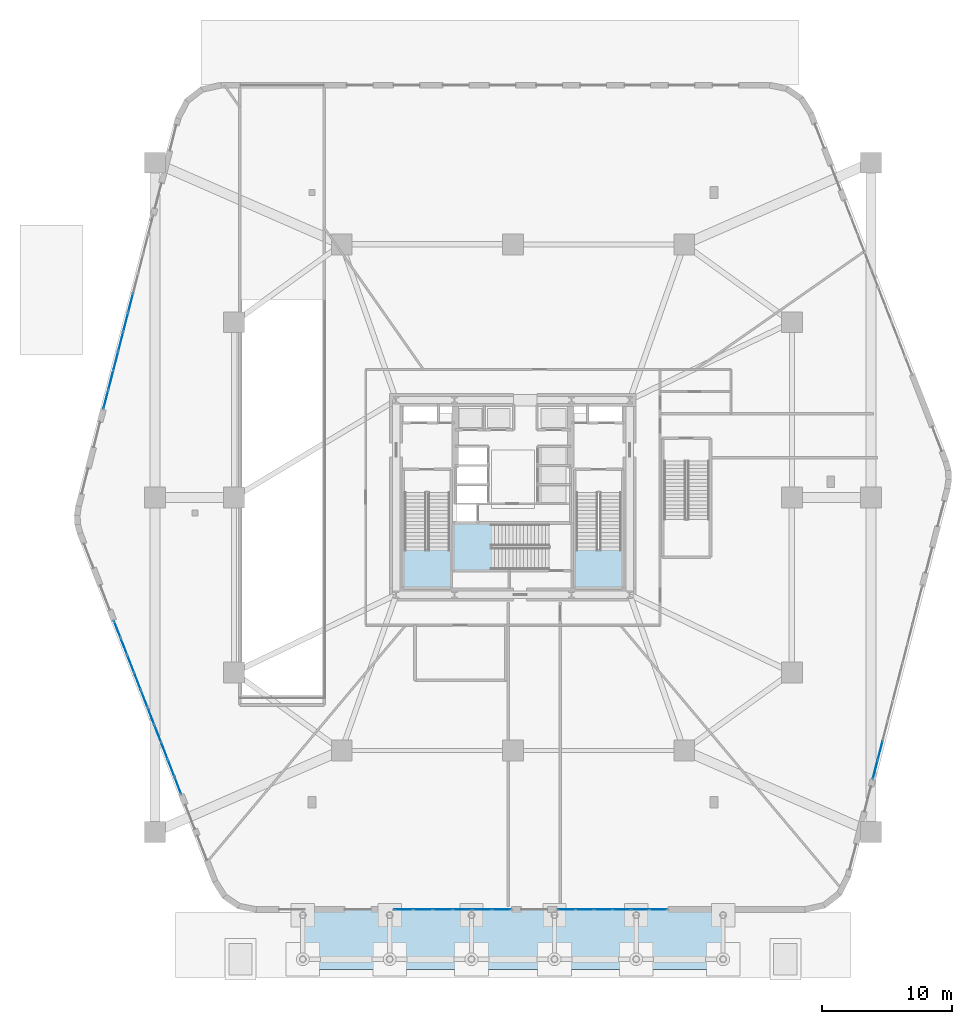
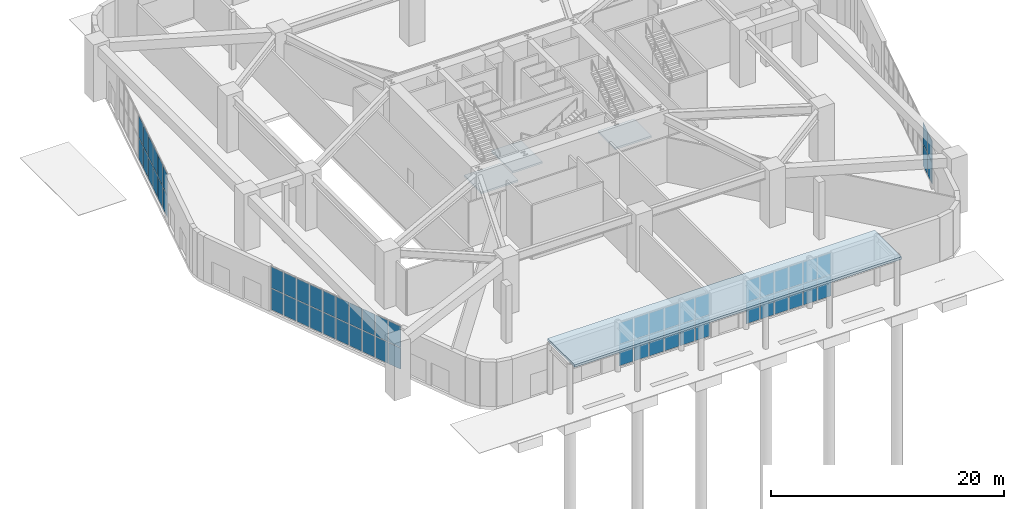
# One storey, part 22 of 35: 60 plates, 4 slabs, 8 elements without a shape of their own.
"""IFC4 building model written with IfcOpenShell, lengths in metres."""

from ifc_helpers import new_model, si_unit, direction, frame, origin, origin_2d, place, context, subcontext, project, spatial, polyline, rectangle, outline, extrude, material, layer, layer_set, type_object, element, aggregate, save


model = new_model("IFC4")

# Units and contexts
model_context = context("Model", 3, precision=1e-05, world=origin(), true_north=direction((0.0, 1.0)))
body_context = subcontext(model_context, "Body", "Model", "MODEL_VIEW")
ifc_project = project(units=[si_unit("LENGTHUNIT", "METRE"), si_unit("AREAUNIT", "SQUARE_METRE"), si_unit("VOLUMEUNIT", "CUBIC_METRE"), si_unit("PLANEANGLEUNIT", "RADIAN"), si_unit("MASSUNIT", "GRAM", prefix="KILO")], contexts=[model_context])

# Site, building, storey
site_placement = place(None, origin())
site = spatial("IfcSite", under=ifc_project, at=site_placement, CompositionType="ELEMENT")
building_placement = place(site_placement, origin())
building = spatial("IfcBuilding", under=site, at=building_placement, Name="Kilnhurst Terrace Hotel", CompositionType="ELEMENT")
storey_placement = place(building_placement, origin())
storey = spatial("IfcBuildingStorey", under=building, at=storey_placement, Name="L00", CompositionType="ELEMENT", Elevation=0.0)

# Curtain wall, plates
ifc_material_1 = material(Name="Anodized Aluminium Alloy 6063-T6 and Low-E Glass", Category="aluminium")
ifc_layer_1 = layer(ifc_material_1, 0.219970703125, Name="Anodized Aluminium Alloy 6063-T6 and Low-E Glass")
ifc_layer_set_1 = layer_set([ifc_layer_1], Name="Anodized Aluminium Alloy 6063-T6 and Low-E Glass")
curtain_wall_type = type_object("IfcCurtainWallType", Name="CW-POD-LOBBY", PredefinedType="NOTDEFINED", material=ifc_layer_set_1)
curtain_wall_1_placement = place(storey_placement, origin())
curtain_wall_1 = element("IfcCurtainWall", 1, at=curtain_wall_1_placement, inside=storey, type_object=curtain_wall_type, Name="L00 Curtain Wall CW-L00-F1-1", PredefinedType="NOTDEFINED")
ifc_material_2 = material(Name="Triple Laminated Low-E Hurricane Insulated Glass", Category="glass")
ifc_layer_2 = layer(ifc_material_2, 0.035888671875, Name="Triple Laminated Low-E Hurricane Insulated Glass")
ifc_layer_set_2 = layer_set([ifc_layer_2], Name="Triple Laminated Low-E Hurricane Insulated Glass")
plate_type = type_object("IfcPlateType", Name="PNL-GLZ-36", PredefinedType="CURTAIN_PANEL", material=ifc_layer_set_2)
plate_1_placement = place(storey_placement, frame((-8.4306640625, -31.77490234375, 0.074951171875), z_axis=(0.0, 0.0, 1.0), x_axis=(1.0, 0.0, 0.0)))
plate_1 = element("IfcPlate", 2, at=plate_1_placement, type_object=plate_type, Name="CWL-1 panel 1.1", PredefinedType="CURTAIN_PANEL", context=body_context, shape_type="SweptSolid", body=[
    extrude(rectangle(XDim=1.405517578125, YDim=0.035888671875, at=origin_2d()), origin(), (0.0, 0.0, 1.0), 2.21240234375),
])
plate_2_placement = place(storey_placement, frame((-8.4306640625, -31.77490234375, 2.362548828125), z_axis=(0.0, 0.0, 1.0), x_axis=(1.0, 0.0, 0.0)))
plate_2 = element("IfcPlate", 3, at=plate_2_placement, type_object=plate_type, Name="CWL-1 panel 1.2", PredefinedType="CURTAIN_PANEL", context=body_context, shape_type="SweptSolid", body=[
    extrude(rectangle(XDim=1.405517578125, YDim=0.035888671875, at=origin_2d()), origin(), (0.0, 0.0, 1.0), 2.21240234375),
])
plate_3_placement = place(storey_placement, frame((-6.931396484375, -31.77490234375, 0.074951171875), z_axis=(0.0, 0.0, 1.0), x_axis=(1.0, 0.0, 0.0)))
plate_3 = element("IfcPlate", 4, at=plate_3_placement, type_object=plate_type, Name="CWL-1 panel 2.1", PredefinedType="CURTAIN_PANEL", context=body_context, shape_type="SweptSolid", body=[
    extrude(rectangle(XDim=1.443115234375, YDim=0.035888671875, at=origin_2d()), origin(), (0.0, 0.0, 1.0), 2.21240234375),
])
plate_4_placement = place(storey_placement, frame((-6.931396484375, -31.77490234375, 2.362548828125), z_axis=(0.0, 0.0, 1.0), x_axis=(1.0, 0.0, 0.0)))
plate_4 = element("IfcPlate", 5, at=plate_4_placement, type_object=plate_type, Name="CWL-1 panel 2.2", PredefinedType="CURTAIN_PANEL", context=body_context, shape_type="SweptSolid", body=[
    extrude(rectangle(XDim=1.443115234375, YDim=0.035888671875, at=origin_2d()), origin(), (0.0, 0.0, 1.0), 2.21240234375),
])
plate_5_placement = place(storey_placement, frame((-5.41357421875, -31.77490234375, 0.074951171875), z_axis=(0.0, 0.0, 1.0), x_axis=(1.0, 0.0, 0.0)))
plate_5 = element("IfcPlate", 6, at=plate_5_placement, type_object=plate_type, Name="CWL-1 panel 3.1", PredefinedType="CURTAIN_PANEL", context=body_context, shape_type="SweptSolid", body=[
    extrude(rectangle(XDim=1.443115234375, YDim=0.035888671875, at=origin_2d()), origin(), (0.0, 0.0, 1.0), 2.21240234375),
])
plate_6_placement = place(storey_placement, frame((-5.41357421875, -31.77490234375, 2.362548828125), z_axis=(0.0, 0.0, 1.0), x_axis=(1.0, 0.0, 0.0)))
plate_6 = element("IfcPlate", 7, at=plate_6_placement, type_object=plate_type, Name="CWL-1 panel 3.2", PredefinedType="CURTAIN_PANEL", context=body_context, shape_type="SweptSolid", body=[
    extrude(rectangle(XDim=1.443115234375, YDim=0.035888671875, at=origin_2d()), origin(), (0.0, 0.0, 1.0), 2.21240234375),
])
plate_7_placement = place(storey_placement, frame((-3.8955078125, -31.77490234375, 0.074951171875), z_axis=(0.0, 0.0, 1.0), x_axis=(1.0, 0.0, 0.0)))
plate_7 = element("IfcPlate", 8, at=plate_7_placement, type_object=plate_type, Name="CWL-1 panel 4.1", PredefinedType="CURTAIN_PANEL", context=body_context, shape_type="SweptSolid", body=[
    extrude(rectangle(XDim=1.443115234375, YDim=0.035888671875, at=origin_2d()), origin(), (0.0, 0.0, 1.0), 2.21240234375),
])
plate_8_placement = place(storey_placement, frame((-3.8955078125, -31.77490234375, 2.362548828125), z_axis=(0.0, 0.0, 1.0), x_axis=(1.0, 0.0, 0.0)))
plate_8 = element("IfcPlate", 9, at=plate_8_placement, type_object=plate_type, Name="CWL-1 panel 4.2", PredefinedType="CURTAIN_PANEL", context=body_context, shape_type="SweptSolid", body=[
    extrude(rectangle(XDim=1.443115234375, YDim=0.035888671875, at=origin_2d()), origin(), (0.0, 0.0, 1.0), 2.21240234375),
])
plate_9_placement = place(storey_placement, frame((-2.37744140625, -31.77490234375, 0.074951171875), z_axis=(0.0, 0.0, 1.0), x_axis=(1.0, 0.0, 0.0)))
plate_9 = element("IfcPlate", 10, at=plate_9_placement, type_object=plate_type, Name="CWL-1 panel 5.1", PredefinedType="CURTAIN_PANEL", context=body_context, shape_type="SweptSolid", body=[
    extrude(rectangle(XDim=1.443115234375, YDim=0.035888671875, at=origin_2d()), origin(), (0.0, 0.0, 1.0), 2.21240234375),
])
plate_10_placement = place(storey_placement, frame((-2.37744140625, -31.77490234375, 2.362548828125), z_axis=(0.0, 0.0, 1.0), x_axis=(1.0, 0.0, 0.0)))
plate_10 = element("IfcPlate", 11, at=plate_10_placement, type_object=plate_type, Name="CWL-1 panel 5.2", PredefinedType="CURTAIN_PANEL", context=body_context, shape_type="SweptSolid", body=[
    extrude(rectangle(XDim=1.443115234375, YDim=0.035888671875, at=origin_2d()), origin(), (0.0, 0.0, 1.0), 2.21240234375),
])
plate_11_placement = place(storey_placement, frame((-0.878173828125, -31.77490234375, 0.074951171875), z_axis=(0.0, 0.0, 1.0), x_axis=(1.0, 0.0, 0.0)))
plate_11 = element("IfcPlate", 12, at=plate_11_placement, type_object=plate_type, Name="CWL-1 panel 6.1", PredefinedType="CURTAIN_PANEL", context=body_context, shape_type="SweptSolid", body=[
    extrude(rectangle(XDim=1.405517578125, YDim=0.035888671875, at=origin_2d()), origin(), (0.0, 0.0, 1.0), 2.21240234375),
])
plate_12_placement = place(storey_placement, frame((-0.878173828125, -31.77490234375, 2.362548828125), z_axis=(0.0, 0.0, 1.0), x_axis=(1.0, 0.0, 0.0)))
plate_12 = element("IfcPlate", 13, at=plate_12_placement, type_object=plate_type, Name="CWL-1 panel 6.2", PredefinedType="CURTAIN_PANEL", context=body_context, shape_type="SweptSolid", body=[
    extrude(rectangle(XDim=1.405517578125, YDim=0.035888671875, at=origin_2d()), origin(), (0.0, 0.0, 1.0), 2.21240234375),
])
aggregate(curtain_wall_1, [plate_1, plate_2, plate_3, plate_4, plate_5, plate_6, plate_7, plate_8, plate_9, plate_10, plate_11, plate_12])

curtain_wall_2_placement = place(storey_placement, origin())
curtain_wall_2 = element("IfcCurtainWall", 14, at=curtain_wall_2_placement, inside=storey, type_object=curtain_wall_type, Name="L00 Curtain Wall CW-L00-F1-2", PredefinedType="NOTDEFINED")
plate_13_placement = place(storey_placement, frame((4.1298828125, -31.77490234375, 0.074951171875), z_axis=(0.0, 0.0, 1.0), x_axis=(1.0, 0.0, 0.0)))
plate_13 = element("IfcPlate", 15, at=plate_13_placement, type_object=plate_type, Name="CWL-1 panel 1.1", PredefinedType="CURTAIN_PANEL", context=body_context, shape_type="SweptSolid", body=[
    extrude(rectangle(XDim=1.310791015625, YDim=0.035888671875, at=origin_2d()), origin(), (0.0, 0.0, 1.0), 2.21240234375),
])
plate_14_placement = place(storey_placement, frame((4.1298828125, -31.77490234375, 2.362548828125), z_axis=(0.0, 0.0, 1.0), x_axis=(1.0, 0.0, 0.0)))
plate_14 = element("IfcPlate", 16, at=plate_14_placement, type_object=plate_type, Name="CWL-1 panel 1.2", PredefinedType="CURTAIN_PANEL", context=body_context, shape_type="SweptSolid", body=[
    extrude(rectangle(XDim=1.310791015625, YDim=0.035888671875, at=origin_2d()), origin(), (0.0, 0.0, 1.0), 2.21240234375),
])
plate_15_placement = place(storey_placement, frame((5.534423828125, -31.77490234375, 0.074951171875), z_axis=(0.0, 0.0, 1.0), x_axis=(1.0, 0.0, 0.0)))
plate_15 = element("IfcPlate", 17, at=plate_15_placement, type_object=plate_type, Name="CWL-1 panel 2.1", PredefinedType="CURTAIN_PANEL", context=body_context, shape_type="SweptSolid", body=[
    extrude(rectangle(XDim=1.348388671875, YDim=0.035888671875, at=origin_2d()), origin(), (0.0, 0.0, 1.0), 2.21240234375),
])
plate_16_placement = place(storey_placement, frame((5.534423828125, -31.77490234375, 2.362548828125), z_axis=(0.0, 0.0, 1.0), x_axis=(1.0, 0.0, 0.0)))
plate_16 = element("IfcPlate", 18, at=plate_16_placement, type_object=plate_type, Name="CWL-1 panel 2.2", PredefinedType="CURTAIN_PANEL", context=body_context, shape_type="SweptSolid", body=[
    extrude(rectangle(XDim=1.348388671875, YDim=0.035888671875, at=origin_2d()), origin(), (0.0, 0.0, 1.0), 2.21240234375),
])
plate_17_placement = place(storey_placement, frame((6.957763671875, -31.77490234375, 0.074951171875), z_axis=(0.0, 0.0, 1.0), x_axis=(1.0, 0.0, 0.0)))
plate_17 = element("IfcPlate", 19, at=plate_17_placement, type_object=plate_type, Name="CWL-1 panel 3.1", PredefinedType="CURTAIN_PANEL", context=body_context, shape_type="SweptSolid", body=[
    extrude(rectangle(XDim=1.348388671875, YDim=0.035888671875, at=origin_2d()), origin(), (0.0, 0.0, 1.0), 2.21240234375),
])
plate_18_placement = place(storey_placement, frame((6.957763671875, -31.77490234375, 2.362548828125), z_axis=(0.0, 0.0, 1.0), x_axis=(1.0, 0.0, 0.0)))
plate_18 = element("IfcPlate", 20, at=plate_18_placement, type_object=plate_type, Name="CWL-1 panel 3.2", PredefinedType="CURTAIN_PANEL", context=body_context, shape_type="SweptSolid", body=[
    extrude(rectangle(XDim=1.348388671875, YDim=0.035888671875, at=origin_2d()), origin(), (0.0, 0.0, 1.0), 2.21240234375),
])
plate_19_placement = place(storey_placement, frame((8.381103515625, -31.77490234375, 0.074951171875), z_axis=(0.0, 0.0, 1.0), x_axis=(1.0, 0.0, 0.0)))
plate_19 = element("IfcPlate", 21, at=plate_19_placement, type_object=plate_type, Name="CWL-1 panel 4.1", PredefinedType="CURTAIN_PANEL", context=body_context, shape_type="SweptSolid", body=[
    extrude(rectangle(XDim=1.348388671875, YDim=0.035888671875, at=origin_2d()), origin(), (0.0, 0.0, 1.0), 2.21240234375),
])
plate_20_placement = place(storey_placement, frame((8.381103515625, -31.77490234375, 2.362548828125), z_axis=(0.0, 0.0, 1.0), x_axis=(1.0, 0.0, 0.0)))
plate_20 = element("IfcPlate", 22, at=plate_20_placement, type_object=plate_type, Name="CWL-1 panel 4.2", PredefinedType="CURTAIN_PANEL", context=body_context, shape_type="SweptSolid", body=[
    extrude(rectangle(XDim=1.348388671875, YDim=0.035888671875, at=origin_2d()), origin(), (0.0, 0.0, 1.0), 2.21240234375),
])
plate_21_placement = place(storey_placement, frame((9.804443359375, -31.77490234375, 0.074951171875), z_axis=(0.0, 0.0, 1.0), x_axis=(1.0, 0.0, 0.0)))
plate_21 = element("IfcPlate", 23, at=plate_21_placement, type_object=plate_type, Name="CWL-1 panel 5.1", PredefinedType="CURTAIN_PANEL", context=body_context, shape_type="SweptSolid", body=[
    extrude(rectangle(XDim=1.348388671875, YDim=0.035888671875, at=origin_2d()), origin(), (0.0, 0.0, 1.0), 2.21240234375),
])
plate_22_placement = place(storey_placement, frame((9.804443359375, -31.77490234375, 2.362548828125), z_axis=(0.0, 0.0, 1.0), x_axis=(1.0, 0.0, 0.0)))
plate_22 = element("IfcPlate", 24, at=plate_22_placement, type_object=plate_type, Name="CWL-1 panel 5.2", PredefinedType="CURTAIN_PANEL", context=body_context, shape_type="SweptSolid", body=[
    extrude(rectangle(XDim=1.348388671875, YDim=0.035888671875, at=origin_2d()), origin(), (0.0, 0.0, 1.0), 2.21240234375),
])
plate_23_placement = place(storey_placement, frame((11.208984375, -31.77490234375, 0.074951171875), z_axis=(0.0, 0.0, 1.0), x_axis=(1.0, 0.0, 0.0)))
plate_23 = element("IfcPlate", 25, at=plate_23_placement, type_object=plate_type, Name="CWL-1 panel 6.1", PredefinedType="CURTAIN_PANEL", context=body_context, shape_type="SweptSolid", body=[
    extrude(rectangle(XDim=1.310791015625, YDim=0.035888671875, at=origin_2d()), origin(), (0.0, 0.0, 1.0), 2.21240234375),
])
plate_24_placement = place(storey_placement, frame((11.208984375, -31.77490234375, 2.362548828125), z_axis=(0.0, 0.0, 1.0), x_axis=(1.0, 0.0, 0.0)))
plate_24 = element("IfcPlate", 26, at=plate_24_placement, type_object=plate_type, Name="CWL-1 panel 6.2", PredefinedType="CURTAIN_PANEL", context=body_context, shape_type="SweptSolid", body=[
    extrude(rectangle(XDim=1.310791015625, YDim=0.035888671875, at=origin_2d()), origin(), (0.0, 0.0, 1.0), 2.21240234375),
])
aggregate(curtain_wall_2, [plate_13, plate_14, plate_15, plate_16, plate_17, plate_18, plate_19, plate_20, plate_21, plate_22, plate_23, plate_24])

curtain_wall_3_placement = place(storey_placement, origin())
curtain_wall_3 = element("IfcCurtainWall", 27, at=curtain_wall_3_placement, inside=storey, type_object=curtain_wall_type, Name="L00 Curtain Wall CW-L00-F2-1", PredefinedType="NOTDEFINED")
plate_25_placement = place(storey_placement, frame((27.929443359375, -20.974365234375, 0.074951171875), z_axis=(0.0, 0.0, 1.0), x_axis=(0.248739610933, 0.968570392874, 0.0)))
plate_25 = element("IfcPlate", 28, at=plate_25_placement, type_object=plate_type, Name="CWL-1 panel 1.1", PredefinedType="CURTAIN_PANEL", context=body_context, shape_type="SweptSolid", body=[
    extrude(rectangle(XDim=1.430908203125, YDim=0.035888671875, at=origin_2d()), origin(), (0.0, 0.0, 1.0), 2.21240234375),
])
plate_26_placement = place(storey_placement, frame((27.929443359375, -20.974365234375, 2.362548828125), z_axis=(0.0, 0.0, 1.0), x_axis=(0.248739610933, 0.968570392874, 0.0)))
plate_26 = element("IfcPlate", 29, at=plate_26_placement, type_object=plate_type, Name="CWL-1 panel 1.2", PredefinedType="CURTAIN_PANEL", context=body_context, shape_type="SweptSolid", body=[
    extrude(rectangle(XDim=1.430908203125, YDim=0.035888671875, at=origin_2d()), origin(), (0.0, 0.0, 1.0), 2.21240234375),
])
plate_27_placement = place(storey_placement, frame((28.30859375, -19.49755859375, 0.074951171875), z_axis=(0.0, 0.0, 1.0), x_axis=(0.248739610933, 0.968570392874, 0.0)))
plate_27 = element("IfcPlate", 30, at=plate_27_placement, type_object=plate_type, Name="CWL-1 panel 2.1", PredefinedType="CURTAIN_PANEL", context=body_context, shape_type="SweptSolid", body=[
    extrude(rectangle(XDim=1.468505859375, YDim=0.035888671875, at=origin_2d()), origin(), (0.0, 0.0, 1.0), 2.21240234375),
])
plate_28_placement = place(storey_placement, frame((28.30859375, -19.49755859375, 2.362548828125), z_axis=(0.0, 0.0, 1.0), x_axis=(0.248739610933, 0.968570392874, 0.0)))
plate_28 = element("IfcPlate", 31, at=plate_28_placement, type_object=plate_type, Name="CWL-1 panel 2.2", PredefinedType="CURTAIN_PANEL", context=body_context, shape_type="SweptSolid", body=[
    extrude(rectangle(XDim=1.468505859375, YDim=0.035888671875, at=origin_2d()), origin(), (0.0, 0.0, 1.0), 2.21240234375),
])
aggregate(curtain_wall_3, [plate_25, plate_26, plate_27, plate_28])

curtain_wall_4_placement = place(storey_placement, origin())
curtain_wall_4 = element("IfcCurtainWall", 32, at=curtain_wall_4_placement, inside=storey, type_object=curtain_wall_type, Name="L00 Curtain Wall CW-L00-F5-1", PredefinedType="NOTDEFINED")
plate_29_placement = place(storey_placement, frame((-29.46044921875, 15.0126953125, 0.074951171875), z_axis=(0.0, 0.0, 1.0), x_axis=(-0.248739610933, -0.968570392874, 0.0)))
plate_29 = element("IfcPlate", 33, at=plate_29_placement, type_object=plate_type, Name="CWL-1 panel 5.1", PredefinedType="CURTAIN_PANEL", context=body_context, shape_type="SweptSolid", body=[
    extrude(rectangle(XDim=1.468505859375, YDim=0.035888671875, at=origin_2d()), origin(), (0.0, 0.0, 1.0), 2.21240234375),
])
plate_30_placement = place(storey_placement, frame((-29.46044921875, 15.0126953125, 2.362548828125), z_axis=(0.0, 0.0, 1.0), x_axis=(-0.248739610933, -0.968570392874, 0.0)))
plate_30 = element("IfcPlate", 34, at=plate_30_placement, type_object=plate_type, Name="CWL-1 panel 5.2", PredefinedType="CURTAIN_PANEL", context=body_context, shape_type="SweptSolid", body=[
    extrude(rectangle(XDim=1.468505859375, YDim=0.035888671875, at=origin_2d()), origin(), (0.0, 0.0, 1.0), 2.21240234375),
])
plate_31_placement = place(storey_placement, frame((-29.84423828125, 13.517578125, 0.074951171875), z_axis=(0.0, 0.0, 1.0), x_axis=(-0.248739610933, -0.968570392874, 0.0)))
plate_31 = element("IfcPlate", 35, at=plate_31_placement, type_object=plate_type, Name="CWL-1 panel 6.1", PredefinedType="CURTAIN_PANEL", context=body_context, shape_type="SweptSolid", body=[
    extrude(rectangle(XDim=1.468505859375, YDim=0.035888671875, at=origin_2d()), origin(), (0.0, 0.0, 1.0), 2.21240234375),
])
plate_32_placement = place(storey_placement, frame((-29.84423828125, 13.517578125, 2.362548828125), z_axis=(0.0, 0.0, 1.0), x_axis=(-0.248739610933, -0.968570392874, 0.0)))
plate_32 = element("IfcPlate", 36, at=plate_32_placement, type_object=plate_type, Name="CWL-1 panel 6.2", PredefinedType="CURTAIN_PANEL", context=body_context, shape_type="SweptSolid", body=[
    extrude(rectangle(XDim=1.468505859375, YDim=0.035888671875, at=origin_2d()), origin(), (0.0, 0.0, 1.0), 2.21240234375),
])
plate_33_placement = place(storey_placement, frame((-30.228271484375, 12.022705078125, 0.074951171875), z_axis=(0.0, 0.0, 1.0), x_axis=(-0.248739610933, -0.968570392874, 0.0)))
plate_33 = element("IfcPlate", 37, at=plate_33_placement, type_object=plate_type, Name="CWL-1 panel 7.1", PredefinedType="CURTAIN_PANEL", context=body_context, shape_type="SweptSolid", body=[
    extrude(rectangle(XDim=1.468505859375, YDim=0.035888671875, at=origin_2d()), origin(), (0.0, 0.0, 1.0), 2.21240234375),
])
plate_34_placement = place(storey_placement, frame((-30.228271484375, 12.022705078125, 2.362548828125), z_axis=(0.0, 0.0, 1.0), x_axis=(-0.248739610933, -0.968570392874, 0.0)))
plate_34 = element("IfcPlate", 38, at=plate_34_placement, type_object=plate_type, Name="CWL-1 panel 7.2", PredefinedType="CURTAIN_PANEL", context=body_context, shape_type="SweptSolid", body=[
    extrude(rectangle(XDim=1.468505859375, YDim=0.035888671875, at=origin_2d()), origin(), (0.0, 0.0, 1.0), 2.21240234375),
])
plate_35_placement = place(storey_placement, frame((-30.612060546875, 10.527587890625, 0.074951171875), z_axis=(0.0, 0.0, 1.0), x_axis=(-0.248739610933, -0.968570392874, 0.0)))
plate_35 = element("IfcPlate", 39, at=plate_35_placement, type_object=plate_type, Name="CWL-1 panel 8.1", PredefinedType="CURTAIN_PANEL", context=body_context, shape_type="SweptSolid", body=[
    extrude(rectangle(XDim=1.468505859375, YDim=0.035888671875, at=origin_2d()), origin(), (0.0, 0.0, 1.0), 2.21240234375),
])
plate_36_placement = place(storey_placement, frame((-30.612060546875, 10.527587890625, 2.362548828125), z_axis=(0.0, 0.0, 1.0), x_axis=(-0.248739610933, -0.968570392874, 0.0)))
plate_36 = element("IfcPlate", 40, at=plate_36_placement, type_object=plate_type, Name="CWL-1 panel 8.2", PredefinedType="CURTAIN_PANEL", context=body_context, shape_type="SweptSolid", body=[
    extrude(rectangle(XDim=1.468505859375, YDim=0.035888671875, at=origin_2d()), origin(), (0.0, 0.0, 1.0), 2.21240234375),
])
plate_37_placement = place(storey_placement, frame((-30.99609375, 9.03271484375, 0.074951171875), z_axis=(0.0, 0.0, 1.0), x_axis=(-0.248739610933, -0.968570392874, 0.0)))
plate_37 = element("IfcPlate", 41, at=plate_37_placement, type_object=plate_type, Name="CWL-1 panel 9.1", PredefinedType="CURTAIN_PANEL", context=body_context, shape_type="SweptSolid", body=[
    extrude(rectangle(XDim=1.468505859375, YDim=0.035888671875, at=origin_2d()), origin(), (0.0, 0.0, 1.0), 2.21240234375),
])
plate_38_placement = place(storey_placement, frame((-30.99609375, 9.03271484375, 2.362548828125), z_axis=(0.0, 0.0, 1.0), x_axis=(-0.248739610933, -0.968570392874, 0.0)))
plate_38 = element("IfcPlate", 42, at=plate_38_placement, type_object=plate_type, Name="CWL-1 panel 9.2", PredefinedType="CURTAIN_PANEL", context=body_context, shape_type="SweptSolid", body=[
    extrude(rectangle(XDim=1.468505859375, YDim=0.035888671875, at=origin_2d()), origin(), (0.0, 0.0, 1.0), 2.21240234375),
])
plate_39_placement = place(storey_placement, frame((-31.37548828125, 7.555908203125, 0.074951171875), z_axis=(0.0, 0.0, 1.0), x_axis=(-0.248739610933, -0.968570392874, 0.0)))
plate_39 = element("IfcPlate", 43, at=plate_39_placement, type_object=plate_type, Name="CWL-1 panel 10.1", PredefinedType="CURTAIN_PANEL", context=body_context, shape_type="SweptSolid", body=[
    extrude(rectangle(XDim=1.430908203125, YDim=0.035888671875, at=origin_2d()), origin(), (0.0, 0.0, 1.0), 2.21240234375),
])
plate_40_placement = place(storey_placement, frame((-31.37548828125, 7.555908203125, 2.362548828125), z_axis=(0.0, 0.0, 1.0), x_axis=(-0.248739610933, -0.968570392874, 0.0)))
plate_40 = element("IfcPlate", 44, at=plate_40_placement, type_object=plate_type, Name="CWL-1 panel 10.2", PredefinedType="CURTAIN_PANEL", context=body_context, shape_type="SweptSolid", body=[
    extrude(rectangle(XDim=1.430908203125, YDim=0.035888671875, at=origin_2d()), origin(), (0.0, 0.0, 1.0), 2.21240234375),
])
aggregate(curtain_wall_4, [plate_29, plate_30, plate_31, plate_32, plate_33, plate_34, plate_35, plate_36, plate_37, plate_38, plate_39, plate_40])

curtain_wall_5_placement = place(storey_placement, origin())
curtain_wall_5 = element("IfcCurtainWall", 45, at=curtain_wall_5_placement, inside=storey, type_object=curtain_wall_type, Name="L00 Curtain Wall CW-L00-F6-1", PredefinedType="NOTDEFINED")
plate_41_placement = place(storey_placement, frame((-30.4990234375, -10.16357421875, 0.074951171875), z_axis=(0.0, 0.0, 1.0), x_axis=(0.361638931731, -0.932318230572, 0.0)))
plate_41 = element("IfcPlate", 46, at=plate_41_placement, type_object=plate_type, Name="CWL-1 panel 1.1", PredefinedType="CURTAIN_PANEL", context=body_context, shape_type="SweptSolid", body=[
    extrude(rectangle(XDim=1.326416015625, YDim=0.035888671875, at=origin_2d()), origin(), (0.0, 0.0, 1.0), 2.21240234375),
])
plate_42_placement = place(storey_placement, frame((-30.4990234375, -10.16357421875, 2.362548828125), z_axis=(0.0, 0.0, 1.0), x_axis=(0.361638931731, -0.932318230572, 0.0)))
plate_42 = element("IfcPlate", 47, at=plate_42_placement, type_object=plate_type, Name="CWL-1 panel 1.2", PredefinedType="CURTAIN_PANEL", context=body_context, shape_type="SweptSolid", body=[
    extrude(rectangle(XDim=1.326416015625, YDim=0.035888671875, at=origin_2d()), origin(), (0.0, 0.0, 1.0), 2.21240234375),
])
plate_43_placement = place(storey_placement, frame((-29.9853515625, -11.487548828125, 0.074951171875), z_axis=(0.0, 0.0, 1.0), x_axis=(0.361638931731, -0.932318230572, 0.0)))
plate_43 = element("IfcPlate", 48, at=plate_43_placement, type_object=plate_type, Name="CWL-1 panel 2.1", PredefinedType="CURTAIN_PANEL", context=body_context, shape_type="SweptSolid", body=[
    extrude(rectangle(XDim=1.364013671875, YDim=0.035888671875, at=origin_2d()), origin(), (0.0, 0.0, 1.0), 2.21240234375),
])
plate_44_placement = place(storey_placement, frame((-29.9853515625, -11.487548828125, 2.362548828125), z_axis=(0.0, 0.0, 1.0), x_axis=(0.361638931731, -0.932318230572, 0.0)))
plate_44 = element("IfcPlate", 49, at=plate_44_placement, type_object=plate_type, Name="CWL-1 panel 2.2", PredefinedType="CURTAIN_PANEL", context=body_context, shape_type="SweptSolid", body=[
    extrude(rectangle(XDim=1.364013671875, YDim=0.035888671875, at=origin_2d()), origin(), (0.0, 0.0, 1.0), 2.21240234375),
])
plate_45_placement = place(storey_placement, frame((-29.46484375, -12.829345703125, 0.074951171875), z_axis=(0.0, 0.0, 1.0), x_axis=(0.361638931731, -0.932318230572, 0.0)))
plate_45 = element("IfcPlate", 50, at=plate_45_placement, type_object=plate_type, Name="CWL-1 panel 3.1", PredefinedType="CURTAIN_PANEL", context=body_context, shape_type="SweptSolid", body=[
    extrude(rectangle(XDim=1.364013671875, YDim=0.035888671875, at=origin_2d()), origin(), (0.0, 0.0, 1.0), 2.21240234375),
])
plate_46_placement = place(storey_placement, frame((-29.46484375, -12.829345703125, 2.362548828125), z_axis=(0.0, 0.0, 1.0), x_axis=(0.361638931731, -0.932318230572, 0.0)))
plate_46 = element("IfcPlate", 51, at=plate_46_placement, type_object=plate_type, Name="CWL-1 panel 3.2", PredefinedType="CURTAIN_PANEL", context=body_context, shape_type="SweptSolid", body=[
    extrude(rectangle(XDim=1.364013671875, YDim=0.035888671875, at=origin_2d()), origin(), (0.0, 0.0, 1.0), 2.21240234375),
])
plate_47_placement = place(storey_placement, frame((-28.944580078125, -14.1708984375, 0.074951171875), z_axis=(0.0, 0.0, 1.0), x_axis=(0.361638931731, -0.932318230572, 0.0)))
plate_47 = element("IfcPlate", 52, at=plate_47_placement, type_object=plate_type, Name="CWL-1 panel 4.1", PredefinedType="CURTAIN_PANEL", context=body_context, shape_type="SweptSolid", body=[
    extrude(rectangle(XDim=1.364013671875, YDim=0.035888671875, at=origin_2d()), origin(), (0.0, 0.0, 1.0), 2.21240234375),
])
plate_48_placement = place(storey_placement, frame((-28.944580078125, -14.1708984375, 2.362548828125), z_axis=(0.0, 0.0, 1.0), x_axis=(0.361638931731, -0.932318230572, 0.0)))
plate_48 = element("IfcPlate", 53, at=plate_48_placement, type_object=plate_type, Name="CWL-1 panel 4.2", PredefinedType="CURTAIN_PANEL", context=body_context, shape_type="SweptSolid", body=[
    extrude(rectangle(XDim=1.364013671875, YDim=0.035888671875, at=origin_2d()), origin(), (0.0, 0.0, 1.0), 2.21240234375),
])
plate_49_placement = place(storey_placement, frame((-28.424072265625, -15.512451171875, 0.074951171875), z_axis=(0.0, 0.0, 1.0), x_axis=(0.361638931731, -0.932318230572, 0.0)))
plate_49 = element("IfcPlate", 54, at=plate_49_placement, type_object=plate_type, Name="CWL-1 panel 5.1", PredefinedType="CURTAIN_PANEL", context=body_context, shape_type="SweptSolid", body=[
    extrude(rectangle(XDim=1.364013671875, YDim=0.035888671875, at=origin_2d()), origin(), (0.0, 0.0, 1.0), 2.21240234375),
])
plate_50_placement = place(storey_placement, frame((-28.424072265625, -15.512451171875, 2.362548828125), z_axis=(0.0, 0.0, 1.0), x_axis=(0.361638931731, -0.932318230572, 0.0)))
plate_50 = element("IfcPlate", 55, at=plate_50_placement, type_object=plate_type, Name="CWL-1 panel 5.2", PredefinedType="CURTAIN_PANEL", context=body_context, shape_type="SweptSolid", body=[
    extrude(rectangle(XDim=1.364013671875, YDim=0.035888671875, at=origin_2d()), origin(), (0.0, 0.0, 1.0), 2.21240234375),
])
plate_51_placement = place(storey_placement, frame((-27.90380859375, -16.85400390625, 0.074951171875), z_axis=(0.0, 0.0, 1.0), x_axis=(0.361638931731, -0.932318230572, 0.0)))
plate_51 = element("IfcPlate", 56, at=plate_51_placement, type_object=plate_type, Name="CWL-1 panel 6.1", PredefinedType="CURTAIN_PANEL", context=body_context, shape_type="SweptSolid", body=[
    extrude(rectangle(XDim=1.364013671875, YDim=0.035888671875, at=origin_2d()), origin(), (0.0, 0.0, 1.0), 2.21240234375),
])
plate_52_placement = place(storey_placement, frame((-27.90380859375, -16.85400390625, 2.362548828125), z_axis=(0.0, 0.0, 1.0), x_axis=(0.361638931731, -0.932318230572, 0.0)))
plate_52 = element("IfcPlate", 57, at=plate_52_placement, type_object=plate_type, Name="CWL-1 panel 6.2", PredefinedType="CURTAIN_PANEL", context=body_context, shape_type="SweptSolid", body=[
    extrude(rectangle(XDim=1.364013671875, YDim=0.035888671875, at=origin_2d()), origin(), (0.0, 0.0, 1.0), 2.21240234375),
])
plate_53_placement = place(storey_placement, frame((-27.38330078125, -18.195556640625, 0.074951171875), z_axis=(0.0, 0.0, 1.0), x_axis=(0.361638931731, -0.932318230572, 0.0)))
plate_53 = element("IfcPlate", 58, at=plate_53_placement, type_object=plate_type, Name="CWL-1 panel 7.1", PredefinedType="CURTAIN_PANEL", context=body_context, shape_type="SweptSolid", body=[
    extrude(rectangle(XDim=1.364013671875, YDim=0.035888671875, at=origin_2d()), origin(), (0.0, 0.0, 1.0), 2.21240234375),
])
plate_54_placement = place(storey_placement, frame((-27.38330078125, -18.195556640625, 2.362548828125), z_axis=(0.0, 0.0, 1.0), x_axis=(0.361638931731, -0.932318230572, 0.0)))
plate_54 = element("IfcPlate", 59, at=plate_54_placement, type_object=plate_type, Name="CWL-1 panel 7.2", PredefinedType="CURTAIN_PANEL", context=body_context, shape_type="SweptSolid", body=[
    extrude(rectangle(XDim=1.364013671875, YDim=0.035888671875, at=origin_2d()), origin(), (0.0, 0.0, 1.0), 2.21240234375),
])
plate_55_placement = place(storey_placement, frame((-26.86279296875, -19.537353515625, 0.074951171875), z_axis=(0.0, 0.0, 1.0), x_axis=(0.361638931731, -0.932318230572, 0.0)))
plate_55 = element("IfcPlate", 60, at=plate_55_placement, type_object=plate_type, Name="CWL-1 panel 8.1", PredefinedType="CURTAIN_PANEL", context=body_context, shape_type="SweptSolid", body=[
    extrude(rectangle(XDim=1.364013671875, YDim=0.035888671875, at=origin_2d()), origin(), (0.0, 0.0, 1.0), 2.21240234375),
])
plate_56_placement = place(storey_placement, frame((-26.86279296875, -19.537353515625, 2.362548828125), z_axis=(0.0, 0.0, 1.0), x_axis=(0.361638931731, -0.932318230572, 0.0)))
plate_56 = element("IfcPlate", 61, at=plate_56_placement, type_object=plate_type, Name="CWL-1 panel 8.2", PredefinedType="CURTAIN_PANEL", context=body_context, shape_type="SweptSolid", body=[
    extrude(rectangle(XDim=1.364013671875, YDim=0.035888671875, at=origin_2d()), origin(), (0.0, 0.0, 1.0), 2.21240234375),
])
plate_57_placement = place(storey_placement, frame((-26.342529296875, -20.87890625, 0.074951171875), z_axis=(0.0, 0.0, 1.0), x_axis=(0.361638931731, -0.932318230572, 0.0)))
plate_57 = element("IfcPlate", 62, at=plate_57_placement, type_object=plate_type, Name="CWL-1 panel 9.1", PredefinedType="CURTAIN_PANEL", context=body_context, shape_type="SweptSolid", body=[
    extrude(rectangle(XDim=1.364013671875, YDim=0.035888671875, at=origin_2d()), origin(), (0.0, 0.0, 1.0), 2.21240234375),
])
plate_58_placement = place(storey_placement, frame((-26.342529296875, -20.87890625, 2.362548828125), z_axis=(0.0, 0.0, 1.0), x_axis=(0.361638931731, -0.932318230572, 0.0)))
plate_58 = element("IfcPlate", 63, at=plate_58_placement, type_object=plate_type, Name="CWL-1 panel 9.2", PredefinedType="CURTAIN_PANEL", context=body_context, shape_type="SweptSolid", body=[
    extrude(rectangle(XDim=1.364013671875, YDim=0.035888671875, at=origin_2d()), origin(), (0.0, 0.0, 1.0), 2.21240234375),
])
plate_59_placement = place(storey_placement, frame((-25.828857421875, -22.203125, 0.074951171875), z_axis=(0.0, 0.0, 1.0), x_axis=(0.361638931731, -0.932318230572, 0.0)))
plate_59 = element("IfcPlate", 64, at=plate_59_placement, type_object=plate_type, Name="CWL-1 panel 10.1", PredefinedType="CURTAIN_PANEL", context=body_context, shape_type="SweptSolid", body=[
    extrude(rectangle(XDim=1.326416015625, YDim=0.035888671875, at=origin_2d()), origin(), (0.0, 0.0, 1.0), 2.21240234375),
])
plate_60_placement = place(storey_placement, frame((-25.828857421875, -22.203125, 2.362548828125), z_axis=(0.0, 0.0, 1.0), x_axis=(0.361638931731, -0.932318230572, 0.0)))
plate_60 = element("IfcPlate", 65, at=plate_60_placement, type_object=plate_type, Name="CWL-1 panel 10.2", PredefinedType="CURTAIN_PANEL", context=body_context, shape_type="SweptSolid", body=[
    extrude(rectangle(XDim=1.326416015625, YDim=0.035888671875, at=origin_2d()), origin(), (0.0, 0.0, 1.0), 2.21240234375),
])
aggregate(curtain_wall_5, [plate_41, plate_42, plate_43, plate_44, plate_45, plate_46, plate_47, plate_48, plate_49, plate_50, plate_51, plate_52, plate_53, plate_54, plate_55, plate_56, plate_57, plate_58, plate_59, plate_60])

# Slab
ifc_material_3 = material(Name="Concrete C50/60", Category="concrete")
ifc_layer_3 = layer(ifc_material_3, 0.260009765625, Name="Concrete C50/60")
ifc_layer_set_3 = layer_set([ifc_layer_3], Name="Concrete C50/60")
slab_type_1 = type_object("IfcSlabType", Name="SLB-ROOF-260", PredefinedType="ROOF", material=ifc_layer_set_3)
slab_1_placement = place(storey_placement, frame((0.0, 0.0, 5.199951171875)))
element("IfcSlab", 66, at=slab_1_placement, inside=storey, type_object=slab_type_1, Name="Porte Cochere Arrival Canopy Roof Slab", PredefinedType="ROOF", context=body_context, shape_type="SweptSolid", body=[
    extrude(outline(polyline([(-16.199951171875, -36.39990234375), (16.199951171875, -36.39990234375), (16.199951171875, -31.800048828125), (-16.199951171875, -31.800048828125), (-16.199951171875, -36.39990234375)])), origin(), (0.0, 0.0, 1.0), 0.260009765625),
])

# Stair, slab
stair_type = type_object("IfcStairType", Name="STR-CORE-1660", PredefinedType="HALF_TURN_STAIR", material=ifc_material_3)
stair_1_placement = place(storey_placement, origin())
stair_1 = element("IfcStair", 67, at=stair_1_placement, inside=storey, type_object=stair_type, Name="L00 ST-1", PredefinedType="HALF_TURN_STAIR")
ifc_layer_4 = layer(ifc_material_3, 0.199951171875, Name="Concrete C50/60")
ifc_layer_set_4 = layer_set([ifc_layer_4], Name="Concrete C50/60")
slab_type_2 = type_object("IfcSlabType", Name="SLB-ST-LND-200", PredefinedType="LANDING", material=ifc_layer_set_4)
slab_2_placement = place(storey_placement, frame((0.0, 0.0, 2.800048828125)))
slab_2 = element("IfcSlab", 68, at=slab_2_placement, type_object=slab_type_2, Name="ST-1 landing 1", PredefinedType="LANDING", context=body_context, shape_type="SweptSolid", body=[
    extrude(outline(polyline([(-8.429931640625, -4.010009765625), (-4.800048828125, -4.010009765625), (-4.800048828125, -6.97998046875), (-8.429931640625, -6.97998046875), (-8.429931640625, -4.010009765625)])), origin(), (0.0, 0.0, 1.0), 0.199951171875),
])
aggregate(stair_1, [slab_2])

stair_2_placement = place(storey_placement, origin())
stair_2 = element("IfcStair", 69, at=stair_2_placement, inside=storey, type_object=stair_type, Name="L00 ST-2", PredefinedType="HALF_TURN_STAIR")
slab_3_placement = place(storey_placement, frame((0.0, 0.0, 2.800048828125)))
slab_3 = element("IfcSlab", 70, at=slab_3_placement, type_object=slab_type_2, Name="ST-2 landing 1", PredefinedType="LANDING", context=body_context, shape_type="SweptSolid", body=[
    extrude(outline(polyline([(4.800048828125, -4.010009765625), (8.429931640625, -4.010009765625), (8.429931640625, -6.97998046875), (4.800048828125, -6.97998046875), (4.800048828125, -4.010009765625)])), origin(), (0.0, 0.0, 1.0), 0.199951171875),
])
aggregate(stair_2, [slab_3])

stair_3_placement = place(storey_placement, origin())
stair_3 = element("IfcStair", 71, at=stair_3_placement, inside=storey, type_object=stair_type, Name="L00 ST-3", PredefinedType="HALF_TURN_STAIR")
slab_4_placement = place(storey_placement, frame((0.0, 0.0, 2.800048828125)))
slab_4 = element("IfcSlab", 72, at=slab_4_placement, type_object=slab_type_2, Name="ST-3 landing 1", PredefinedType="LANDING", context=body_context, shape_type="SweptSolid", body=[
    extrude(outline(polyline([(-1.610107421875, -2.0), (-1.610107421875, -5.6298828125), (-4.580078125, -5.6298828125), (-4.580078125, -2.0), (-1.610107421875, -2.0)])), origin(), (0.0, 0.0, 1.0), 0.199951171875),
])
aggregate(stair_3, [slab_4])

save(model, "model.ifc")
